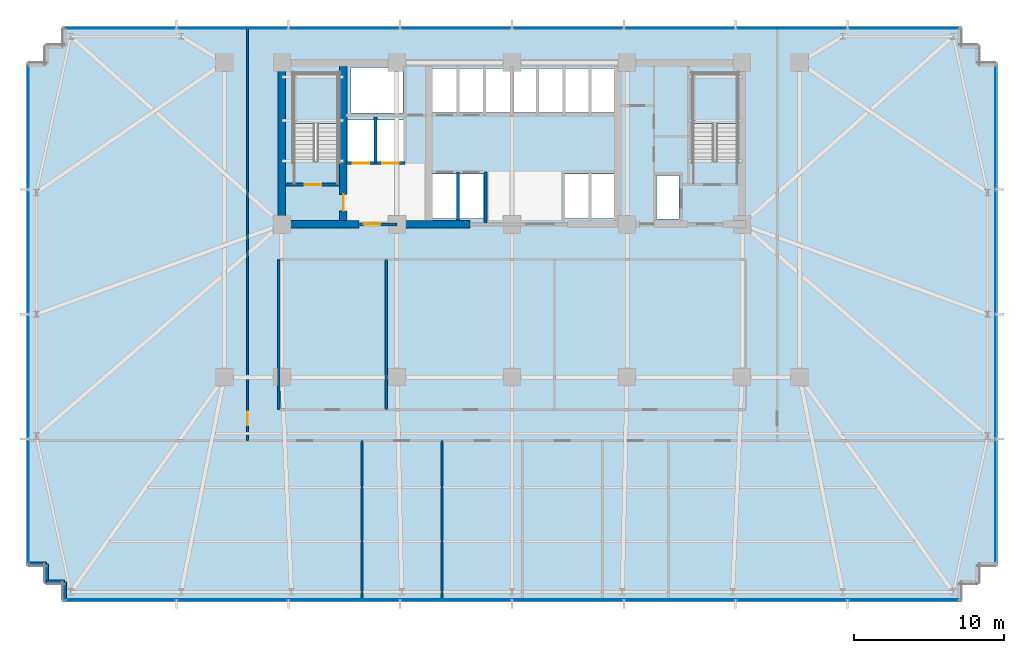
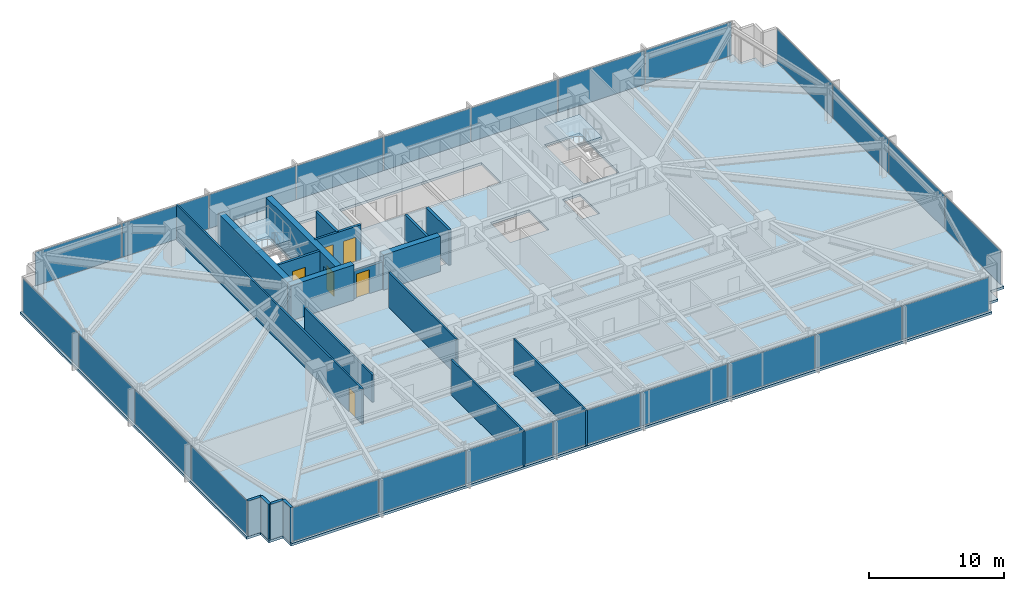
# One storey, part 24 of 33: 24 plates, 19 walls, 6 doors, 3 slabs, 6 openings, 6 elements without a shape of their own.
"""IFC4 building model written with IfcOpenShell, lengths in metres."""

from ifc_helpers import new_model, si_unit, direction, frame, frame_2d, origin, origin_2d, place, context, subcontext, project, spatial, polyline, rectangle, outline, extrude, material, layer, layer_set, type_object, element, fill, aggregate, save


model = new_model("IFC4")

# Units and contexts
model_context = context("Model", 3, precision=1e-05, world=origin(), true_north=direction((0.0, 1.0)))
body_context = subcontext(model_context, "Body", "Model", "MODEL_VIEW")
ifc_project = project(units=[si_unit("LENGTHUNIT", "METRE"), si_unit("AREAUNIT", "SQUARE_METRE"), si_unit("VOLUMEUNIT", "CUBIC_METRE"), si_unit("PLANEANGLEUNIT", "RADIAN"), si_unit("MASSUNIT", "GRAM", prefix="KILO")], contexts=[model_context])

# Site, building, storey
site_placement = place(None, origin())
site = spatial("IfcSite", under=ifc_project, at=site_placement, CompositionType="ELEMENT")
building_placement = place(site_placement, origin())
building = spatial("IfcBuilding", under=site, at=building_placement, Name="Yelkora Congress Tower", CompositionType="ELEMENT")
storey_placement = place(building_placement, frame((0.0, 0.0, 37.199951171875)))
storey = spatial("IfcBuildingStorey", under=building, at=storey_placement, Name="L08", CompositionType="ELEMENT", Elevation=37.199951171875)

# Curtain wall, plates
ifc_material_1 = material(Name="Anodised aluminium and insulated glass", Category="aluminium")
curtain_wall_type = type_object("IfcCurtainWallType", Name="CW-SYS-B1", PredefinedType="NOTDEFINED", material=ifc_material_1)
curtain_wall_1_placement = place(storey_placement, origin())
curtain_wall_1 = element("IfcCurtainWall", 1, at=curtain_wall_1_placement, inside=storey, type_object=curtain_wall_type, Name="L08 Unitised Curtain Wall 5", PredefinedType="NOTDEFINED")
ifc_material_2 = material(Name="Solar-control low-E glass unit B1", Category="glass")
ifc_layer_1 = layer(ifc_material_2, 0.0400390625)
ifc_layer_set_1 = layer_set([ifc_layer_1], Name="Solar-control low-E glass unit B1")
plate_type = type_object("IfcPlateType", Name="PLT-PN-B1", PredefinedType="CURTAIN_PANEL", material=ifc_layer_set_1)
plate_1_placement = place(storey_placement, frame((6.139892578125, 16.923828125, 0.06494140625), z_axis=(0.0, 0.0, 1.0), x_axis=(0.0, 1.0, 0.0)))
plate_1 = element("IfcPlate", 2, at=plate_1_placement, type_object=plate_type, Name="CW-B1 panel 1.1", PredefinedType="CURTAIN_PANEL", context=body_context, shape_type="SweptSolid", body=[
    extrude(rectangle(XDim=8.217529296875, YDim=0.0400390625, at=origin_2d()), origin(), (0.0, 0.0, 1.0), 3.050048828125),
])
plate_2_placement = place(storey_placement, frame((6.139892578125, 25.235107421875, 0.06494140625), z_axis=(0.0, 0.0, 1.0), x_axis=(0.0, 1.0, 0.0)))
plate_2 = element("IfcPlate", 3, at=plate_2_placement, type_object=plate_type, Name="CW-B1 panel 2.1", PredefinedType="CURTAIN_PANEL", context=body_context, shape_type="SweptSolid", body=[
    extrude(rectangle(XDim=8.2548828125, YDim=0.0400390625, at=origin_2d()), origin(), (0.0, 0.0, 1.0), 3.050048828125),
])
plate_3_placement = place(storey_placement, frame((6.139892578125, 33.56494140625, 0.06494140625), z_axis=(0.0, 0.0, 1.0), x_axis=(0.0, 1.0, 0.0)))
plate_3 = element("IfcPlate", 4, at=plate_3_placement, type_object=plate_type, Name="CW-B1 panel 3.1", PredefinedType="CURTAIN_PANEL", context=body_context, shape_type="SweptSolid", body=[
    extrude(rectangle(XDim=8.2548828125, YDim=0.0400390625, at=origin_2d()), origin(), (0.0, 0.0, 1.0), 3.050048828125),
])
plate_4_placement = place(storey_placement, frame((6.139892578125, 41.876220703125, 0.06494140625), z_axis=(0.0, 0.0, 1.0), x_axis=(0.0, 1.0, 0.0)))
plate_4 = element("IfcPlate", 5, at=plate_4_placement, type_object=plate_type, Name="CW-B1 panel 4.1", PredefinedType="CURTAIN_PANEL", context=body_context, shape_type="SweptSolid", body=[
    extrude(rectangle(XDim=8.217529296875, YDim=0.0400390625, at=origin_2d()), origin(), (0.0, 0.0, 1.0), 3.050048828125),
])
aggregate(curtain_wall_1, [plate_1, plate_2, plate_3, plate_4])

curtain_wall_2_placement = place(storey_placement, origin())
curtain_wall_2 = element("IfcCurtainWall", 6, at=curtain_wall_2_placement, inside=storey, type_object=curtain_wall_type, Name="L08 Unitised Curtain Wall 10", PredefinedType="NOTDEFINED")
plate_5_placement = place(storey_placement, frame((12.291259765625, 48.4599609375, 0.06494140625), z_axis=(0.0, 0.0, 1.0), x_axis=(1.0, 0.0, 0.0)))
plate_5 = element("IfcPlate", 7, at=plate_5_placement, type_object=plate_type, Name="CW-B1 panel 1.1", PredefinedType="CURTAIN_PANEL", context=body_context, shape_type="SweptSolid", body=[
    extrude(rectangle(XDim=7.3525390625, YDim=0.0400390625, at=origin_2d()), origin(), (0.0, 0.0, 1.0), 3.050048828125),
])
plate_6_placement = place(storey_placement, frame((19.737548828125, 48.4599609375, 0.06494140625), z_axis=(0.0, 0.0, 1.0), x_axis=(1.0, 0.0, 0.0)))
plate_6 = element("IfcPlate", 8, at=plate_6_placement, type_object=plate_type, Name="CW-B1 panel 2.1", PredefinedType="CURTAIN_PANEL", context=body_context, shape_type="SweptSolid", body=[
    extrude(rectangle(XDim=7.389892578125, YDim=0.0400390625, at=origin_2d()), origin(), (0.0, 0.0, 1.0), 3.050048828125),
])
plate_7_placement = place(storey_placement, frame((27.202392578125, 48.4599609375, 0.06494140625), z_axis=(0.0, 0.0, 1.0), x_axis=(1.0, 0.0, 0.0)))
plate_7 = element("IfcPlate", 9, at=plate_7_placement, type_object=plate_type, Name="CW-B1 panel 3.1", PredefinedType="CURTAIN_PANEL", context=body_context, shape_type="SweptSolid", body=[
    extrude(rectangle(XDim=7.389892578125, YDim=0.0400390625, at=origin_2d()), origin(), (0.0, 0.0, 1.0), 3.050048828125),
])
plate_8_placement = place(storey_placement, frame((34.66748046875, 48.4599609375, 0.06494140625), z_axis=(0.0, 0.0, 1.0), x_axis=(1.0, 0.0, 0.0)))
plate_8 = element("IfcPlate", 10, at=plate_8_placement, type_object=plate_type, Name="CW-B1 panel 4.1", PredefinedType="CURTAIN_PANEL", context=body_context, shape_type="SweptSolid", body=[
    extrude(rectangle(XDim=7.389892578125, YDim=0.0400390625, at=origin_2d()), origin(), (0.0, 0.0, 1.0), 3.050048828125),
])
plate_9_placement = place(storey_placement, frame((42.132568359375, 48.4599609375, 0.06494140625), z_axis=(0.0, 0.0, 1.0), x_axis=(1.0, 0.0, 0.0)))
plate_9 = element("IfcPlate", 11, at=plate_9_placement, type_object=plate_type, Name="CW-B1 panel 5.1", PredefinedType="CURTAIN_PANEL", context=body_context, shape_type="SweptSolid", body=[
    extrude(rectangle(XDim=7.389892578125, YDim=0.0400390625, at=origin_2d()), origin(), (0.0, 0.0, 1.0), 3.050048828125),
])
plate_10_placement = place(storey_placement, frame((49.597412109375, 48.4599609375, 0.06494140625), z_axis=(0.0, 0.0, 1.0), x_axis=(1.0, 0.0, 0.0)))
plate_10 = element("IfcPlate", 12, at=plate_10_placement, type_object=plate_type, Name="CW-B1 panel 6.1", PredefinedType="CURTAIN_PANEL", context=body_context, shape_type="SweptSolid", body=[
    extrude(rectangle(XDim=7.389892578125, YDim=0.0400390625, at=origin_2d()), origin(), (0.0, 0.0, 1.0), 3.050048828125),
])
plate_11_placement = place(storey_placement, frame((57.0625, 48.4599609375, 0.06494140625), z_axis=(0.0, 0.0, 1.0), x_axis=(1.0, 0.0, 0.0)))
plate_11 = element("IfcPlate", 13, at=plate_11_placement, type_object=plate_type, Name="CW-B1 panel 7.1", PredefinedType="CURTAIN_PANEL", context=body_context, shape_type="SweptSolid", body=[
    extrude(rectangle(XDim=7.389892578125, YDim=0.0400390625, at=origin_2d()), origin(), (0.0, 0.0, 1.0), 3.050048828125),
])
plate_12_placement = place(storey_placement, frame((64.5087890625, 48.4599609375, 0.06494140625), z_axis=(0.0, 0.0, 1.0), x_axis=(1.0, 0.0, 0.0)))
plate_12 = element("IfcPlate", 14, at=plate_12_placement, type_object=plate_type, Name="CW-B1 panel 8.1", PredefinedType="CURTAIN_PANEL", context=body_context, shape_type="SweptSolid", body=[
    extrude(rectangle(XDim=7.3525390625, YDim=0.0400390625, at=origin_2d()), origin(), (0.0, 0.0, 1.0), 3.050048828125),
])
aggregate(curtain_wall_2, [plate_5, plate_6, plate_7, plate_8, plate_9, plate_10, plate_11, plate_12])

curtain_wall_3_placement = place(storey_placement, origin())
curtain_wall_3 = element("IfcCurtainWall", 15, at=curtain_wall_3_placement, inside=storey, type_object=curtain_wall_type, Name="L08 Unitised Curtain Wall 15", PredefinedType="NOTDEFINED")
plate_13_placement = place(storey_placement, frame((70.659912109375, 41.876220703125, 0.06494140625), z_axis=(0.0, 0.0, 1.0), x_axis=(0.0, -1.0, 0.0)))
plate_13 = element("IfcPlate", 16, at=plate_13_placement, type_object=plate_type, Name="CW-B1 panel 1.1", PredefinedType="CURTAIN_PANEL", context=body_context, shape_type="SweptSolid", body=[
    extrude(rectangle(XDim=8.217529296875, YDim=0.0400390625, at=origin_2d()), origin(), (0.0, 0.0, 1.0), 3.050048828125),
])
plate_14_placement = place(storey_placement, frame((70.659912109375, 33.56494140625, 0.06494140625), z_axis=(0.0, 0.0, 1.0), x_axis=(0.0, -1.0, 0.0)))
plate_14 = element("IfcPlate", 17, at=plate_14_placement, type_object=plate_type, Name="CW-B1 panel 2.1", PredefinedType="CURTAIN_PANEL", context=body_context, shape_type="SweptSolid", body=[
    extrude(rectangle(XDim=8.2548828125, YDim=0.0400390625, at=origin_2d()), origin(), (0.0, 0.0, 1.0), 3.050048828125),
])
plate_15_placement = place(storey_placement, frame((70.659912109375, 25.235107421875, 0.06494140625), z_axis=(0.0, 0.0, 1.0), x_axis=(0.0, -1.0, 0.0)))
plate_15 = element("IfcPlate", 18, at=plate_15_placement, type_object=plate_type, Name="CW-B1 panel 3.1", PredefinedType="CURTAIN_PANEL", context=body_context, shape_type="SweptSolid", body=[
    extrude(rectangle(XDim=8.2548828125, YDim=0.0400390625, at=origin_2d()), origin(), (0.0, 0.0, 1.0), 3.050048828125),
])
plate_16_placement = place(storey_placement, frame((70.659912109375, 16.923828125, 0.06494140625), z_axis=(0.0, 0.0, 1.0), x_axis=(0.0, -1.0, 0.0)))
plate_16 = element("IfcPlate", 19, at=plate_16_placement, type_object=plate_type, Name="CW-B1 panel 4.1", PredefinedType="CURTAIN_PANEL", context=body_context, shape_type="SweptSolid", body=[
    extrude(rectangle(XDim=8.217529296875, YDim=0.0400390625, at=origin_2d()), origin(), (0.0, 0.0, 1.0), 3.050048828125),
])
aggregate(curtain_wall_3, [plate_13, plate_14, plate_15, plate_16])

curtain_wall_4_placement = place(storey_placement, origin())
curtain_wall_4 = element("IfcCurtainWall", 20, at=curtain_wall_4_placement, inside=storey, type_object=curtain_wall_type, Name="L08 Unitised Curtain Wall 20", PredefinedType="NOTDEFINED")
plate_17_placement = place(storey_placement, frame((64.5087890625, 10.340087890625, 0.06494140625), z_axis=(0.0, 0.0, 1.0), x_axis=(-1.0, 0.0, 0.0)))
plate_17 = element("IfcPlate", 21, at=plate_17_placement, type_object=plate_type, Name="CW-B1 panel 1.1", PredefinedType="CURTAIN_PANEL", context=body_context, shape_type="SweptSolid", body=[
    extrude(rectangle(XDim=7.3525390625, YDim=0.0400390625, at=origin_2d()), origin(), (0.0, 0.0, 1.0), 3.050048828125),
])
plate_18_placement = place(storey_placement, frame((57.0625, 10.340087890625, 0.06494140625), z_axis=(0.0, 0.0, 1.0), x_axis=(-1.0, 0.0, 0.0)))
plate_18 = element("IfcPlate", 22, at=plate_18_placement, type_object=plate_type, Name="CW-B1 panel 2.1", PredefinedType="CURTAIN_PANEL", context=body_context, shape_type="SweptSolid", body=[
    extrude(rectangle(XDim=7.389892578125, YDim=0.0400390625, at=origin_2d()), origin(), (0.0, 0.0, 1.0), 3.050048828125),
])
plate_19_placement = place(storey_placement, frame((49.597412109375, 10.340087890625, 0.06494140625), z_axis=(0.0, 0.0, 1.0), x_axis=(-1.0, 0.0, 0.0)))
plate_19 = element("IfcPlate", 23, at=plate_19_placement, type_object=plate_type, Name="CW-B1 panel 3.1", PredefinedType="CURTAIN_PANEL", context=body_context, shape_type="SweptSolid", body=[
    extrude(rectangle(XDim=7.389892578125, YDim=0.0400390625, at=origin_2d()), origin(), (0.0, 0.0, 1.0), 3.050048828125),
])
plate_20_placement = place(storey_placement, frame((42.132568359375, 10.340087890625, 0.06494140625), z_axis=(0.0, 0.0, 1.0), x_axis=(-1.0, 0.0, 0.0)))
plate_20 = element("IfcPlate", 24, at=plate_20_placement, type_object=plate_type, Name="CW-B1 panel 4.1", PredefinedType="CURTAIN_PANEL", context=body_context, shape_type="SweptSolid", body=[
    extrude(rectangle(XDim=7.389892578125, YDim=0.0400390625, at=origin_2d()), origin(), (0.0, 0.0, 1.0), 3.050048828125),
])
plate_21_placement = place(storey_placement, frame((34.66748046875, 10.340087890625, 0.06494140625), z_axis=(0.0, 0.0, 1.0), x_axis=(-1.0, 0.0, 0.0)))
plate_21 = element("IfcPlate", 25, at=plate_21_placement, type_object=plate_type, Name="CW-B1 panel 5.1", PredefinedType="CURTAIN_PANEL", context=body_context, shape_type="SweptSolid", body=[
    extrude(rectangle(XDim=7.389892578125, YDim=0.0400390625, at=origin_2d()), origin(), (0.0, 0.0, 1.0), 3.050048828125),
])
plate_22_placement = place(storey_placement, frame((27.202392578125, 10.340087890625, 0.06494140625), z_axis=(0.0, 0.0, 1.0), x_axis=(-1.0, 0.0, 0.0)))
plate_22 = element("IfcPlate", 26, at=plate_22_placement, type_object=plate_type, Name="CW-B1 panel 6.1", PredefinedType="CURTAIN_PANEL", context=body_context, shape_type="SweptSolid", body=[
    extrude(rectangle(XDim=7.389892578125, YDim=0.0400390625, at=origin_2d()), origin(), (0.0, 0.0, 1.0), 3.050048828125),
])
plate_23_placement = place(storey_placement, frame((19.737548828125, 10.340087890625, 0.06494140625), z_axis=(0.0, 0.0, 1.0), x_axis=(-1.0, 0.0, 0.0)))
plate_23 = element("IfcPlate", 27, at=plate_23_placement, type_object=plate_type, Name="CW-B1 panel 7.1", PredefinedType="CURTAIN_PANEL", context=body_context, shape_type="SweptSolid", body=[
    extrude(rectangle(XDim=7.389892578125, YDim=0.0400390625, at=origin_2d()), origin(), (0.0, 0.0, 1.0), 3.050048828125),
])
plate_24_placement = place(storey_placement, frame((12.291259765625, 10.340087890625, 0.06494140625), z_axis=(0.0, 0.0, 1.0), x_axis=(-1.0, 0.0, 0.0)))
plate_24 = element("IfcPlate", 28, at=plate_24_placement, type_object=plate_type, Name="CW-B1 panel 8.1", PredefinedType="CURTAIN_PANEL", context=body_context, shape_type="SweptSolid", body=[
    extrude(rectangle(XDim=7.3525390625, YDim=0.0400390625, at=origin_2d()), origin(), (0.0, 0.0, 1.0), 3.050048828125),
])
aggregate(curtain_wall_4, [plate_17, plate_18, plate_19, plate_20, plate_21, plate_22, plate_23, plate_24])

# Stair, slab
ifc_material_3 = material(Name="Concrete C40/50", Category="concrete")
stair_type = type_object("IfcStairType", Name="STAIR-HT-1420-R20-170", PredefinedType="HALF_TURN_STAIR", material=ifc_material_3)
stair_1_placement = place(storey_placement, origin())
stair_1 = element("IfcStair", 29, at=stair_1_placement, inside=storey, type_object=stair_type, Name="West Core Protected Exit Stair ST-01 (L08)", PredefinedType="HALF_TURN_STAIR")
ifc_layer_2 = layer(ifc_material_3, 0.219970703125)
ifc_layer_set_2 = layer_set([ifc_layer_2], Name="Concrete C40/50")
slab_type_1 = type_object("IfcSlabType", Name="SLAB-LANDING-220", PredefinedType="LANDING", material=ifc_layer_set_2)
slab_1_placement = place(storey_placement, frame((0.0, 0.0, 1.47998046875)))
slab_1 = element("IfcSlab", 30, at=slab_1_placement, type_object=slab_type_1, Name="ST-01 L08 Half Landing 1", PredefinedType="LANDING", context=body_context, shape_type="SweptSolid", body=[
    extrude(outline(polyline([(26.820068359375, 42.1201171875), (26.820068359375, 45.469970703125), (23.820068359375, 45.469970703125), (23.820068359375, 42.1201171875), (26.820068359375, 42.1201171875)])), origin(), (0.0, 0.0, 1.0), 0.219970703125),
])
aggregate(stair_1, [slab_1])

stair_2_placement = place(storey_placement, origin())
stair_2 = element("IfcStair", 31, at=stair_2_placement, inside=storey, type_object=stair_type, Name="East Core Protected Exit Stair ST-02 (L08)", PredefinedType="HALF_TURN_STAIR")
slab_2_placement = place(storey_placement, frame((0.0, 0.0, 1.47998046875)))
slab_2 = element("IfcSlab", 32, at=slab_2_placement, type_object=slab_type_1, Name="ST-02 L08 Half Landing 1", PredefinedType="LANDING", context=body_context, shape_type="SweptSolid", body=[
    extrude(outline(polyline([(53.4599609375, 42.1201171875), (53.4599609375, 45.469970703125), (50.4599609375, 45.469970703125), (50.4599609375, 42.1201171875), (53.4599609375, 42.1201171875)])), origin(), (0.0, 0.0, 1.0), 0.219970703125),
])
aggregate(stair_2, [slab_2])

# Slab
ifc_layer_3 = layer(ifc_material_3, 0.219970703125)
ifc_layer_set_3 = layer_set([ifc_layer_3], Name="Concrete C40/50")
slab_type_2 = type_object("IfcSlabType", Name="SLAB-TWR-220", PredefinedType="FLOOR", material=ifc_layer_set_3)
slab_3_placement = place(storey_placement, frame((0.0, 0.0, -0.219970703125)))
element("IfcSlab", 33, at=slab_3_placement, inside=storey, type_object=slab_type_2, Name="L08 Structural Floor Slab", PredefinedType="FLOOR", context=body_context, shape_type="SweptSolid", body=[
    extrude(outline(polyline([(8.39990234375, 10.199951171875), (68.39990234375, 10.199951171875), (68.39990234375, 11.39990234375), (69.60009765625, 11.39990234375), (69.60009765625, 12.60009765625), (70.800048828125, 12.60009765625), (70.800048828125, 46.199951171875), (69.60009765625, 46.199951171875), (69.60009765625, 47.39990234375), (68.39990234375, 47.39990234375), (68.39990234375, 48.60009765625), (8.39990234375, 48.60009765625), (8.39990234375, 47.39990234375), (7.199951171875, 47.39990234375), (7.199951171875, 46.199951171875), (6.0, 46.199951171875), (6.0, 12.60009765625), (7.199951171875, 12.60009765625), (7.199951171875, 11.39990234375), (8.39990234375, 11.39990234375), (8.39990234375, 10.199951171875)]), holes=[polyline([(23.820068359375, 39.6298828125), (26.820068359375, 39.6298828125), (26.820068359375, 45.469970703125), (23.820068359375, 45.469970703125), (23.820068359375, 39.6298828125)]), polyline([(50.4599609375, 39.6298828125), (53.4599609375, 39.6298828125), (53.4599609375, 45.469970703125), (50.4599609375, 45.469970703125), (50.4599609375, 39.6298828125)]), polyline([(48.050048828125, 35.75), (49.550048828125, 35.75), (49.550048828125, 38.64990234375), (48.050048828125, 38.64990234375), (48.050048828125, 35.75)]), polyline([(41.949951171875, 35.800048828125), (45.25, 35.800048828125), (45.25, 38.75), (41.949951171875, 38.75), (41.949951171875, 35.800048828125)]), polyline([(33.10009765625, 42.85009765625), (45.25, 42.85009765625), (45.25, 45.800048828125), (33.10009765625, 45.800048828125), (33.10009765625, 42.85009765625)]), polyline([(33.10009765625, 35.800048828125), (36.5, 35.800048828125), (36.5, 38.75), (33.10009765625, 38.75), (33.10009765625, 35.800048828125)]), polyline([(27.419921875, 39.60009765625), (31.179931640625, 39.60009765625), (31.179931640625, 42.35009765625), (27.419921875, 42.35009765625), (27.419921875, 39.60009765625)]), polyline([(27.64990234375, 42.820068359375), (31.1201171875, 42.820068359375), (31.1201171875, 45.8798828125), (27.64990234375, 45.8798828125), (27.64990234375, 42.820068359375)])]), origin(), (0.0, 0.0, 1.0), 0.219970703125),
])

# Walls
ifc_material_4 = material(Name="Concrete C60/75", Category="concrete")
ifc_layer_4 = layer(ifc_material_4, 0.5)
ifc_layer_set_4 = layer_set([ifc_layer_4], Name="Concrete C60/75")
wall_type_1 = type_object("IfcWallType", Name="WALL-CORE-INT-500", PredefinedType="SHEAR", material=ifc_layer_set_4)
wall_1_placement = place(storey_placement, frame((22.7900390625, 35.39990234375, 0.0), z_axis=(0.0, 0.0, 1.0), x_axis=(1.0, 0.0, 0.0)))
element("IfcWall", 34, at=wall_1_placement, inside=storey, type_object=wall_type_1, Name="L08 Rear Core South-West Shear Wall", PredefinedType="SHEAR", context=body_context, shape_type="SweptSolid", body=[
    extrude(rectangle(XDim=5.409912109375, YDim=0.5, at=frame_2d((2.705078125, 0.0))), origin(), (0.0, 0.0, 1.0), 3.179931640625),
])
wall_2_placement = place(storey_placement, frame((30.719970703125, 35.39990234375, 0.0), z_axis=(0.0, 0.0, 1.0), x_axis=(1.0, 0.0, 0.0)))
element("IfcWall", 35, at=wall_2_placement, inside=storey, type_object=wall_type_1, Name="L08 Rear Core South-Center Shear Pier", PredefinedType="SHEAR", context=body_context, shape_type="SweptSolid", body=[
    extrude(rectangle(XDim=4.880126953125, YDim=0.5, at=frame_2d((2.43994140625, 0.0))), origin(), (0.0, 0.0, 1.0), 3.179931640625),
])
wall_3_placement = place(storey_placement, frame((23.0400390625, 35.64990234375, 0.0), z_axis=(0.0, 0.0, 1.0), x_axis=(0.0, 1.0, 0.0)))
element("IfcWall", 36, at=wall_3_placement, inside=storey, type_object=wall_type_1, Name="L08 Rear Core Cross Shear Wall W", PredefinedType="SHEAR", context=body_context, shape_type="SweptSolid", body=[
    extrude(rectangle(XDim=10.300048828125, YDim=0.5, at=frame_2d((5.14990234375, 0.0))), origin(), (0.0, 0.0, 1.0), 3.179931640625),
])

# Wall, opening, door
wall_4_placement = place(storey_placement, frame((27.14990234375, 35.64990234375, 0.0), z_axis=(0.0, 0.0, 1.0), x_axis=(0.0, 1.0, 0.0)))
wall_4 = element("IfcWall", 37, at=wall_4_placement, inside=storey, type_object=wall_type_1, Name="L08 Rear Core Cross Shear Wall C1", PredefinedType="SHEAR", context=body_context, shape_type="SweptSolid", body=[
    extrude(rectangle(XDim=10.300048828125, YDim=0.5, at=frame_2d((5.14990234375, 0.0))), origin(), (0.0, 0.0, 1.0), 3.179931640625),
])
opening_1_placement = place(wall_4_placement, frame((0.64990234375, 0.0, 0.0)))
opening_1 = element("IfcOpeningElement", 38, at=opening_1_placement, cuts=wall_4, Name="Opening DR-110F9", PredefinedType="OPENING", context=body_context, shape_type="SweptSolid", body=[
    extrude(rectangle(XDim=1.10009765625, YDim=2.14990234375, at=frame_2d((0.550048828125, 1.074951171875))), frame((0.0, 0.260009765625, 0.0), z_axis=(0.0, -1.0, 0.0), x_axis=(1.0, 0.0, 0.0)), (0.0, 0.0, 1.0), 0.52001953125),
])
ifc_material_5 = material(Name="Galvanised steel fire door leaf", Category="steel")
door_type_1 = type_object("IfcDoorType", Name="DOOR-FD90-1100", OperationType="NOTDEFINED", PredefinedType="DOOR", material=ifc_material_5)
door_1_placement = place(opening_1_placement, origin())
door_1 = element("IfcDoor", 39, at=door_1_placement, inside=storey, type_object=door_type_1, Name="L08 Firefighting Stair Transfer Door", OperationType="SINGLE_SWING_LEFT", OverallHeight=2.14990234375, OverallWidth=1.10009765625, PredefinedType="DOOR", context=body_context, shape_type="SweptSolid", body=[
    extrude(rectangle(XDim=1.10009765625, YDim=2.14990234375, at=frame_2d((0.550048828125, 1.074951171875))), frame((0.0, 0.02490234375, 0.0), z_axis=(0.0, -1.0, 0.0), x_axis=(1.0, 0.0, 0.0)), (0.0, 0.0, 1.0), 0.050048828125),
])
fill(opening_1, door_1)

# Walls
ifc_layer_5 = layer(ifc_material_3, 0.239990234375)
ifc_layer_set_5 = layer_set([ifc_layer_5], Name="Concrete C40/50")
wall_type_2 = type_object("IfcWallType", Name="WALL-EXT-LIMESTONE-240", PredefinedType="SOLIDWALL", material=ifc_layer_set_5)
for number, where, z_axis, x_axis, name in (
    (40, (8.5400390625, 10.340087890625, 0.0), (0.0, 0.0, 1.0), (0.0, 1.0, 0.0), "L08 Serrated Corner Limestone Pier 1"),
    (41, (8.5400390625, 11.5400390625, 0.0), (0.0, 0.0, 1.0), (-1.0, 0.0, 0.0), "L08 Serrated Corner Limestone Pier 2"),
    (42, (7.340087890625, 11.5400390625, 0.0), (0.0, 0.0, 1.0), (0.0, 1.0, 0.0), "L08 Serrated Corner Limestone Pier 3"),
):
    element("IfcWall", number, at=place(storey_placement, frame(where, z_axis=z_axis, x_axis=x_axis)), inside=storey, type_object=wall_type_2, Name=name, PredefinedType="SOLIDWALL", context=body_context, shape_type="SweptSolid", body=[
        extrude(rectangle(XDim=1.199951171875, YDim=0.239990234375, at=frame_2d((0.60009765625, 0.0))), origin(), (0.0, 0.0, 1.0), 3.179931640625),
    ])
wall_5_placement = place(storey_placement, frame((7.340087890625, 12.739990234375, 0.0), z_axis=(0.0, 0.0, 1.0), x_axis=(-1.0, 0.0, 0.0)))
element("IfcWall", 43, at=wall_5_placement, inside=storey, type_object=wall_type_2, Name="L08 Serrated Corner Limestone Pier 4", PredefinedType="SOLIDWALL", context=body_context, shape_type="SweptSolid", body=[
    extrude(rectangle(XDim=1.2001953125, YDim=0.239990234375, at=frame_2d((0.60009765625, 0.0))), origin(), (0.0, 0.0, 1.0), 3.179931640625),
])
ifc_material_6 = material(Name="Acoustic metal-stud gypsum partition", Category="gypsum")
ifc_layer_6 = layer(ifc_material_6, 0.14990234375)
ifc_layer_set_6 = layer_set([ifc_layer_6], Name="Acoustic metal-stud gypsum partition")
wall_type_3 = type_object("IfcWallType", Name="WALL-INT-150-NR", PredefinedType="PARTITIONING", material=ifc_layer_set_6)
for number, where, z_axis, x_axis, name in (
    (44, (28.383056640625, 10.280029296875, 0.0), (0.0, 0.0, 1.0), (0.0, 1.0, 0.0), "L08 Partition Wall 31"),
    (45, (33.72998046875, 10.280029296875, 0.0), (0.0, 0.0, 1.0), (0.0, 1.0, 0.0), "L08 Partition Wall 32"),
):
    element("IfcWall", number, at=place(storey_placement, frame(where, z_axis=z_axis, x_axis=x_axis)), inside=storey, type_object=wall_type_3, Name=name, PredefinedType="PARTITIONING", context=body_context, shape_type="SweptSolid", body=[
        extrude(rectangle(XDim=10.68994140625, YDim=0.14990234375, at=frame_2d((5.344970703125, 0.0))), origin(), (0.0, 0.0, 1.0), 3.179931640625),
    ])

# Wall, opening, door
wall_6_placement = place(storey_placement, frame((20.75, 20.949951171875, 0.0), z_axis=(0.0, 0.0, 1.0), x_axis=(0.0, 1.0, 0.0)))
wall_6 = element("IfcWall", 46, at=wall_6_placement, inside=storey, type_object=wall_type_3, Name="L08 Partition Wall 37", PredefinedType="PARTITIONING", context=body_context, shape_type="SweptSolid", body=[
    extrude(rectangle(XDim=27.570068359375, YDim=0.14990234375, at=frame_2d((13.78515625, 0.0))), origin(), (0.0, 0.0, 1.0), 3.179931640625),
])
opening_2_placement = place(wall_6_placement, frame((1.030029296875, 0.0, 0.0)))
opening_2 = element("IfcOpeningElement", 47, at=opening_2_placement, cuts=wall_6, Name="Opening DR-090N", PredefinedType="OPENING", context=body_context, shape_type="SweptSolid", body=[
    extrude(rectangle(XDim=0.89990234375, YDim=2.14990234375, at=frame_2d((0.449951171875, 1.074951171875))), frame((0.0, 0.0849609375, 0.0), z_axis=(0.0, -1.0, 0.0), x_axis=(1.0, 0.0, 0.0)), (0.0, 0.0, 1.0), 0.169921875),
])
ifc_material_7 = material(Name="Moisture-resistant laminate door leaf", Category="wood")
door_type_2 = type_object("IfcDoorType", Name="DOOR-INT-900", OperationType="NOTDEFINED", PredefinedType="DOOR", material=ifc_material_7)
door_2_placement = place(opening_2_placement, origin())
door_2 = element("IfcDoor", 48, at=door_2_placement, inside=storey, type_object=door_type_2, Name="L08 W Wing Door", OperationType="SINGLE_SWING_LEFT", OverallHeight=2.14990234375, OverallWidth=0.89990234375, PredefinedType="DOOR", context=body_context, shape_type="SweptSolid", body=[
    extrude(rectangle(XDim=0.89990234375, YDim=2.14990234375, at=frame_2d((0.449951171875, 1.074951171875))), frame((0.0, 0.02490234375, 0.0), z_axis=(0.0, -1.0, 0.0), x_axis=(1.0, 0.0, 0.0)), (0.0, 0.0, 1.0), 0.050048828125),
])
fill(opening_2, door_2)

# Walls
wall_7_placement = place(storey_placement, frame((22.830078125, 23.030029296875, 0.0), z_axis=(0.0, 0.0, 1.0), x_axis=(0.0, 1.0, 0.0)))
element("IfcWall", 49, at=wall_7_placement, inside=storey, type_object=wall_type_3, Name="L08 Partition Wall 39", PredefinedType="PARTITIONING", context=body_context, shape_type="SweptSolid", body=[
    extrude(rectangle(XDim=10.02001953125, YDim=0.14990234375, at=frame_2d((5.010009765625, 0.0))), origin(), (0.0, 0.0, 1.0), 2.47509765625),
])
wall_8_placement = place(storey_placement, frame((30.009033203125, 23.030029296875, 0.0), z_axis=(0.0, 0.0, 1.0), x_axis=(0.0, 1.0, 0.0)))
element("IfcWall", 50, at=wall_8_placement, inside=storey, type_object=wall_type_3, Name="L08 Partition Wall 42", PredefinedType="PARTITIONING", context=body_context, shape_type="SweptSolid", body=[
    extrude(rectangle(XDim=10.02001953125, YDim=0.14990234375, at=frame_2d((5.010009765625, 0.0))), origin(), (0.0, 0.0, 1.0), 3.179931640625),
])

# Wall, opening, door
ifc_material_8 = material(Name="Autoclaved aerated concrete blockwork", Category="masonry")
ifc_layer_7 = layer(ifc_material_8, 0.199951171875)
ifc_layer_set_7 = layer_set([ifc_layer_7], Name="Autoclaved aerated concrete blockwork")
wall_type_4 = type_object("IfcWallType", Name="WALL-INT-200-R120", PredefinedType="PARTITIONING", material=ifc_layer_set_7)
wall_9_placement = place(storey_placement, frame((23.300048828125, 38.050048828125, 0.0), z_axis=(0.0, 0.0, 1.0), x_axis=(1.0, 0.0, 0.0)))
wall_9 = element("IfcWall", 51, at=wall_9_placement, inside=storey, type_object=wall_type_4, Name="L08 Stair ST-01 Enclosure Wall", PredefinedType="PARTITIONING", context=body_context, shape_type="SweptSolid", body=[
    extrude(rectangle(XDim=3.619873046875, YDim=0.199951171875, at=frame_2d((1.81005859375, 0.0))), origin(), (0.0, 0.0, 1.0), 3.179931640625),
])
opening_3_placement = place(wall_9_placement, frame((1.260009765625, 0.0, 0.0)))
opening_3 = element("IfcOpeningElement", 52, at=opening_3_placement, cuts=wall_9, Name="Opening DR-110F9", PredefinedType="OPENING", context=body_context, shape_type="SweptSolid", body=[
    extrude(rectangle(XDim=1.10009765625, YDim=2.14990234375, at=frame_2d((0.550048828125, 1.074951171875))), frame((0.0, 0.10986328125, 0.0), z_axis=(0.0, -1.0, 0.0), x_axis=(1.0, 0.0, 0.0)), (0.0, 0.0, 1.0), 0.219970703125),
])
door_3_placement = place(opening_3_placement, origin())
door_3 = element("IfcDoor", 53, at=door_3_placement, inside=storey, type_object=door_type_1, Name="L08 Stair ST-01 Entry Door", OperationType="SINGLE_SWING_LEFT", OverallHeight=2.14990234375, OverallWidth=1.10009765625, PredefinedType="DOOR", context=body_context, shape_type="SweptSolid", body=[
    extrude(rectangle(XDim=1.10009765625, YDim=2.14990234375, at=frame_2d((0.550048828125, 1.074951171875))), frame((0.0, 0.02490234375, 0.0), z_axis=(0.0, -1.0, 0.0), x_axis=(1.0, 0.0, 0.0)), (0.0, 0.0, 1.0), 0.050048828125),
])
fill(opening_3, door_3)

wall_10_placement = place(storey_placement, frame((28.219970703125, 35.39990234375, 0.0), z_axis=(0.0, 0.0, 1.0), x_axis=(1.0, 0.0, 0.0)))
wall_10 = element("IfcWall", 54, at=wall_10_placement, inside=storey, type_object=wall_type_4, Name="L08 Firefighting Lobby South Wall", PredefinedType="PARTITIONING", context=body_context, shape_type="SweptSolid", body=[
    extrude(rectangle(XDim=2.5, YDim=0.199951171875, at=frame_2d((1.25, 0.0))), origin(), (0.0, 0.0, 1.0), 2.47509765625),
])
opening_4_placement = place(wall_10_placement, frame((0.300048828125, 0.0, 0.0)))
opening_4 = element("IfcOpeningElement", 55, at=opening_4_placement, cuts=wall_10, Name="Opening DR-110F9", PredefinedType="OPENING", context=body_context, shape_type="SweptSolid", body=[
    extrude(rectangle(XDim=1.10009765625, YDim=2.14990234375, at=frame_2d((0.550048828125, 1.074951171875))), frame((0.0, 0.10986328125, 0.0), z_axis=(0.0, -1.0, 0.0), x_axis=(1.0, 0.0, 0.0)), (0.0, 0.0, 1.0), 0.219970703125),
])
door_4_placement = place(opening_4_placement, origin())
door_4 = element("IfcDoor", 56, at=door_4_placement, inside=storey, type_object=door_type_1, Name="L08 Firefighting Lobby Corridor Door", OperationType="SINGLE_SWING_RIGHT", OverallHeight=2.14990234375, OverallWidth=1.10009765625, PredefinedType="DOOR", context=body_context, shape_type="SweptSolid", body=[
    extrude(rectangle(XDim=1.10009765625, YDim=2.14990234375, at=frame_2d((0.550048828125, 1.074951171875))), frame((0.0, 0.02490234375, 0.0), z_axis=(0.0, -1.0, 0.0), x_axis=(1.0, 0.0, 0.0)), (0.0, 0.0, 1.0), 0.050048828125),
])
fill(opening_4, door_4)

# Wall, openings, doors
wall_11_placement = place(storey_placement, frame((27.320068359375, 39.47998046875, 0.0), z_axis=(0.0, 0.0, 1.0), x_axis=(1.0, 0.0, 0.0)))
wall_11 = element("IfcWall", 57, at=wall_11_placement, inside=storey, type_object=wall_type_4, Name="L08 Firefighting Lift Front Wall", PredefinedType="PARTITIONING", context=body_context, shape_type="SweptSolid", body=[
    extrude(rectangle(XDim=3.93994140625, YDim=0.199951171875, at=frame_2d((1.969970703125, 0.0))), origin(), (0.0, 0.0, 1.0), 3.179931640625),
])
opening_5_placement = place(wall_11_placement, frame((0.449951171875, 0.0, 0.0)))
opening_5 = element("IfcOpeningElement", 58, at=opening_5_placement, cuts=wall_11, Name="Opening LD-FF11", PredefinedType="OPENING", context=body_context, shape_type="SweptSolid", body=[
    extrude(rectangle(XDim=1.10009765625, YDim=2.199951171875, at=frame_2d((0.550048828125, 1.10009765625))), frame((0.0, 0.10986328125, 0.0), z_axis=(0.0, -1.0, 0.0), x_axis=(1.0, 0.0, 0.0)), (0.0, 0.0, 1.0), 0.219970703125),
])
opening_6_placement = place(wall_11_placement, frame((2.409912109375, 0.0, 0.0)))
opening_6 = element("IfcOpeningElement", 59, at=opening_6_placement, cuts=wall_11, Name="Opening LD-FF11", PredefinedType="OPENING", context=body_context, shape_type="SweptSolid", body=[
    extrude(rectangle(XDim=1.10009765625, YDim=2.199951171875, at=frame_2d((0.550048828125, 1.10009765625))), frame((0.0, 0.10986328125, 0.0), z_axis=(0.0, -1.0, 0.0), x_axis=(1.0, 0.0, 0.0)), (0.0, 0.0, 1.0), 0.219970703125),
])
ifc_material_9 = material(Name="Brushed stainless steel 316L landing door", Category="steel")
door_type_3 = type_object("IfcDoorType", Name="DOOR-LIFT-FF-1100", OperationType="DOUBLE_DOOR_SLIDING", PredefinedType="DOOR", material=ifc_material_9)
door_5_placement = place(opening_5_placement, origin())
door_5 = element("IfcDoor", 60, at=door_5_placement, inside=storey, type_object=door_type_3, Name="Lift Landing Door LF-FF1 L08", OperationType="DOUBLE_DOOR_SLIDING", OverallHeight=2.199951171875, OverallWidth=1.10009765625, PredefinedType="DOOR", context=body_context, shape_type="SweptSolid", body=[
    extrude(rectangle(XDim=1.10009765625, YDim=2.199951171875, at=frame_2d((0.550048828125, 1.10009765625))), frame((0.0, 0.02490234375, 0.0), z_axis=(0.0, -1.0, 0.0), x_axis=(1.0, 0.0, 0.0)), (0.0, 0.0, 1.0), 0.050048828125),
])
fill(opening_5, door_5)
door_6_placement = place(opening_6_placement, origin())
door_6 = element("IfcDoor", 61, at=door_6_placement, inside=storey, type_object=door_type_3, Name="Lift Landing Door LF-FF2 L08", OperationType="DOUBLE_DOOR_SLIDING", OverallHeight=2.199951171875, OverallWidth=1.10009765625, PredefinedType="DOOR", context=body_context, shape_type="SweptSolid", body=[
    extrude(rectangle(XDim=1.10009765625, YDim=2.199951171875, at=frame_2d((0.550048828125, 1.10009765625))), frame((0.0, 0.02490234375, 0.0), z_axis=(0.0, -1.0, 0.0), x_axis=(1.0, 0.0, 0.0)), (0.0, 0.0, 1.0), 0.050048828125),
])
fill(opening_6, door_6)

# Walls
wall_12_placement = place(storey_placement, frame((29.300048828125, 39.47998046875, 0.0), z_axis=(0.0, 0.0, 1.0), x_axis=(0.0, 1.0, 0.0)))
element("IfcWall", 62, at=wall_12_placement, inside=storey, type_object=wall_type_4, Name="L08 Partition Wall 4", PredefinedType="PARTITIONING", context=body_context, shape_type="SweptSolid", body=[
    extrude(rectangle(XDim=3.070068359375, YDim=0.199951171875, at=frame_2d((1.53515625, 0.0))), origin(), (0.0, 0.0, 1.0), 3.179931640625),
])
wall_13_placement = place(storey_placement, frame((34.800048828125, 35.64990234375, 0.0), z_axis=(0.0, 0.0, 1.0), x_axis=(0.0, 1.0, 0.0)))
element("IfcWall", 63, at=wall_13_placement, inside=storey, type_object=wall_type_4, Name="L08 Partition Wall 13", PredefinedType="PARTITIONING", context=body_context, shape_type="SweptSolid", body=[
    extrude(rectangle(XDim=3.25, YDim=0.199951171875, at=frame_2d((1.625, 0.0))), origin(), (0.0, 0.0, 1.0), 3.179931640625),
])
wall_14_placement = place(storey_placement, frame((36.6201171875, 35.5, 0.0), z_axis=(0.0, 0.0, 1.0), x_axis=(0.0, 1.0, 0.0)))
element("IfcWall", 64, at=wall_14_placement, inside=storey, type_object=wall_type_4, Name="L08 Partition Wall 15", PredefinedType="PARTITIONING", context=body_context, shape_type="SweptSolid", body=[
    extrude(rectangle(XDim=3.39990234375, YDim=0.199951171875, at=frame_2d((1.699951171875, 0.0))), origin(), (0.0, 0.0, 1.0), 3.179931640625),
])

save(model, "model.ifc")
